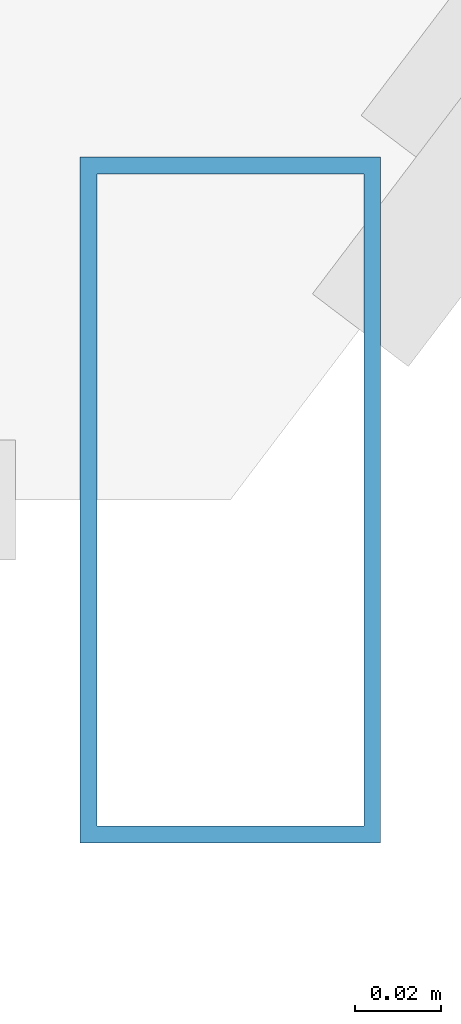
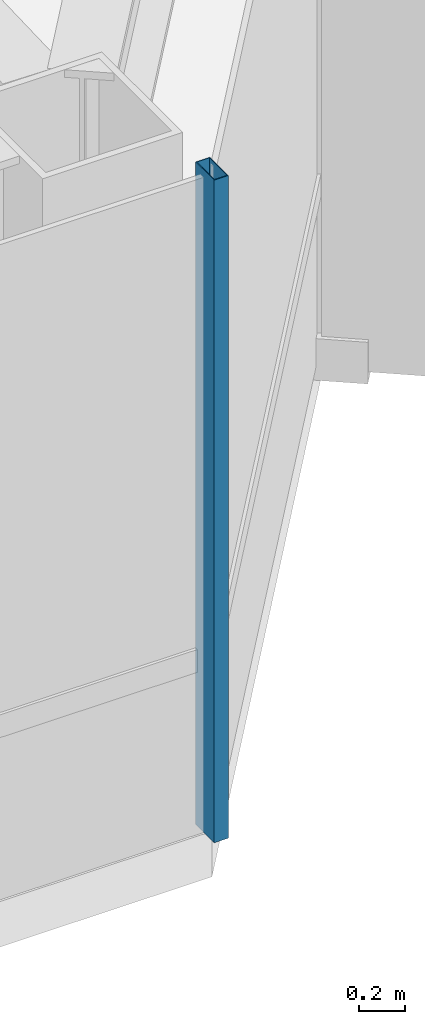
# One storey, part 8 of 27: 1 member, 1 element without a shape of its own.
"""IFC4 building model written with IfcOpenShell, lengths in metres."""

from ifc_helpers import new_model, si_unit, direction, frame, origin, origin_2d, place, context, subcontext, project, spatial, hollow_rectangle, extrude, material, layer, layer_set, material_profile, profile_set, type_object, element, aggregate, save


model = new_model("IFC4")

# Units and contexts
model_context = context("Model", 3, precision=1e-05, world=origin(), true_north=direction((0.0, 1.0)))
body_context = subcontext(model_context, "Body", "Model", "MODEL_VIEW")
ifc_project = project(units=[si_unit("LENGTHUNIT", "METRE"), si_unit("AREAUNIT", "SQUARE_METRE"), si_unit("VOLUMEUNIT", "CUBIC_METRE"), si_unit("PLANEANGLEUNIT", "RADIAN"), si_unit("MASSUNIT", "GRAM", prefix="KILO")], contexts=[model_context])

# Site, building, storey
site_placement = place(None, origin())
site = spatial("IfcSite", under=ifc_project, at=site_placement, CompositionType="ELEMENT")
building_placement = place(site_placement, origin())
building = spatial("IfcBuilding", under=site, at=building_placement, Name="Zarrinselat Tower", CompositionType="ELEMENT")
storey_placement = place(building_placement, frame((0.0, 0.0, 179.52001953125)))
storey = spatial("IfcBuildingStorey", under=building, at=storey_placement, Name="L44", CompositionType="ELEMENT", Elevation=179.52001953125)

# Curtain wall, member
ifc_material_1 = material(Name="Extruded Aluminium Alloy EN AW-6063 T6", Category="aluminium")
ifc_layer = layer(ifc_material_1, 0.175048828125)
ifc_layer_set = layer_set([ifc_layer], Name="Extruded Aluminium Alloy EN AW-6063 T6")
curtain_wall_type = type_object("IfcCurtainWallType", Name="CWS-HTL", PredefinedType="NOTDEFINED", material=ifc_layer_set)
curtain_wall_placement = place(storey_placement, origin())
curtain_wall = element("IfcCurtainWall", 1, at=curtain_wall_placement, inside=storey, type_object=curtain_wall_type, Name="L44 Unitised Curtain Wall CW-L44-E04", PredefinedType="NOTDEFINED")
ifc_material_2 = material(Name="Extruded Aluminium Alloy EN AW-6063 T6", Category="aluminium")
ifc_material_profile = material_profile(ifc_material_2, hollow_rectangle(XDim=0.070068359375, YDim=0.159912109375, WallThickness=0.00390625, at=origin_2d()), Name="RHS 160x70x4")
ifc_profile_set = profile_set([ifc_material_profile], Name="Extruded Aluminium Alloy EN AW-6063 T6")
member_type = type_object("IfcMemberType", Name="MEM-CW-MUL2", PredefinedType="MULLION", material=ifc_profile_set)
member_placement = place(storey_placement, frame((45.75830078125, 17.555419921875, 0.0), z_axis=(0.0, 0.0, 1.0), x_axis=(1.0, 0.0, 0.0)))
member = element("IfcMember", 2, at=member_placement, type_object=member_type, Name="CW-L44-E04 Mullion 4", PredefinedType="MULLION", context=body_context, shape_type="SweptSolid", body=[
    extrude(hollow_rectangle(XDim=0.070068359375, YDim=0.159912109375, WallThickness=0.00390625, at=origin_2d()), origin(), (0.0, 0.0, 1.0), 3.5),
])
aggregate(curtain_wall, [member])

save(model, "model.ifc")
